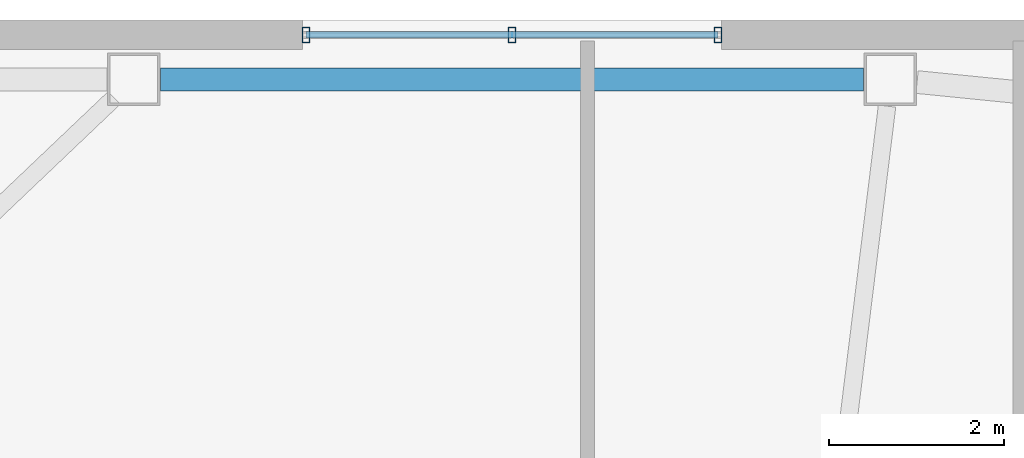
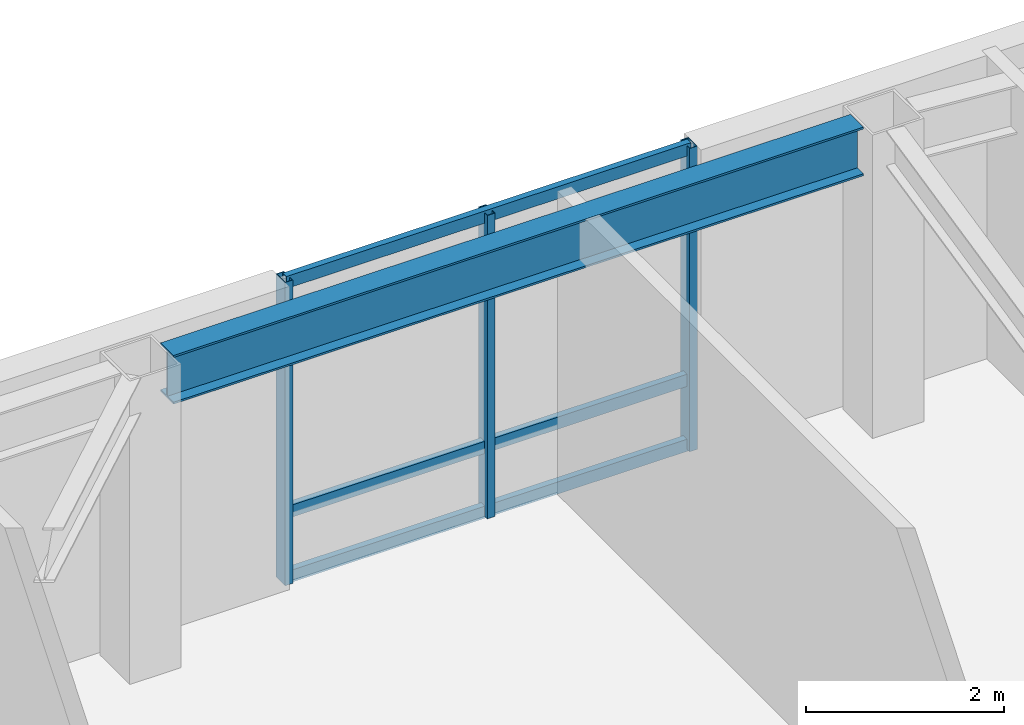
# One storey, part 6 of 18: 6 members, 1 beam, 1 element without a shape of its own.
"""IFC4 building model written with IfcOpenShell, lengths in metres."""

from ifc_helpers import new_model, si_unit, direction, frame, origin, origin_2d, place, context, subcontext, project, spatial, hollow_rectangle, i_section, extrude, material, layer, layer_set, material_profile, profile_set, type_object, element, aggregate, save


model = new_model("IFC4")

# Units and contexts
model_context = context("Model", 3, precision=1e-05, world=origin(), true_north=direction((0.0, 1.0)))
body_context = subcontext(model_context, "Body", "Model", "MODEL_VIEW")
ifc_project = project(units=[si_unit("LENGTHUNIT", "METRE"), si_unit("AREAUNIT", "SQUARE_METRE"), si_unit("VOLUMEUNIT", "CUBIC_METRE"), si_unit("PLANEANGLEUNIT", "RADIAN"), si_unit("MASSUNIT", "GRAM", prefix="KILO")], contexts=[model_context])

# Site, building, storey
site_placement = place(None, origin())
site = spatial("IfcSite", under=ifc_project, at=site_placement, CompositionType="ELEMENT")
building_placement = place(site_placement, origin())
building = spatial("IfcBuilding", under=site, at=building_placement, Name="Tavrogorsk Clinical Tower", CompositionType="ELEMENT")
storey_placement = place(building_placement, frame((0.0, 0.0, 200.199951171875)))
storey = spatial("IfcBuildingStorey", under=building, at=storey_placement, Name="L46", CompositionType="ELEMENT", Elevation=200.199951171875)

# Curtain wall, members
ifc_material_1 = material(Name="Anodised aluminium and triple IGU glazing", Category="aluminium")
ifc_layer = layer(ifc_material_1, 0.179931640625)
ifc_layer_set = layer_set([ifc_layer], Name="Anodised aluminium and triple IGU glazing")
curtain_wall_type = type_object("IfcCurtainWallType", Name="CW2_NorthSlot", PredefinedType="NOTDEFINED", material=ifc_layer_set)
curtain_wall_placement = place(storey_placement, origin())
curtain_wall = element("IfcCurtainWall", 1, at=curtain_wall_placement, inside=storey, type_object=curtain_wall_type, Name="L46 Curtain Wall CW-L46-N-SLOT-1", PredefinedType="NOTDEFINED")
ifc_material_2 = material(Name="Anodised aluminium alloy AW-6060", Category="aluminium")
ifc_material_profile_1 = material_profile(ifc_material_2, hollow_rectangle(XDim=0.090087890625, YDim=0.179931640625, WallThickness=0.00634765625, at=origin_2d()), Name="RHS-180x90x6.3")
ifc_profile_set_1 = profile_set([ifc_material_profile_1], Name="Anodised aluminium alloy AW-6060")
member_type_1 = type_object("IfcMemberType", Name="CwMullion_180x90", PredefinedType="MULLION", material=ifc_profile_set_1)
member_1_placement = place(storey_placement, frame((-3.90380859375, 26.929931640625, 0.0), z_axis=(0.0, 0.0, 1.0), x_axis=(-1.0, 0.0, 0.0)))
member_1 = element("IfcMember", 2, at=member_1_placement, type_object=member_type_1, Name="CW-L46-N-SLOT-1 Mullion 1", PredefinedType="MULLION", context=body_context, shape_type="SweptSolid", body=[
    extrude(hollow_rectangle(XDim=0.090087890625, YDim=0.179931640625, WallThickness=0.00634765625, at=origin_2d()), origin(), (0.0, 0.0, 1.0), 3.739990234375),
])
member_2_placement = place(storey_placement, frame((-6.262939453125, 26.929931640625, 0.0), z_axis=(0.0, 0.0, 1.0), x_axis=(-1.0, 0.0, 0.0)))
member_2 = element("IfcMember", 3, at=member_2_placement, type_object=member_type_1, Name="CW-L46-N-SLOT-1 Mullion 2", PredefinedType="MULLION", context=body_context, shape_type="SweptSolid", body=[
    extrude(hollow_rectangle(XDim=0.090087890625, YDim=0.179931640625, WallThickness=0.00634765625, at=origin_2d()), origin(), (0.0, 0.0, 1.0), 3.739990234375),
])
member_3_placement = place(storey_placement, frame((-8.621826171875, 26.929931640625, 0.0), z_axis=(0.0, 0.0, 1.0), x_axis=(-1.0, 0.0, 0.0)))
member_3 = element("IfcMember", 4, at=member_3_placement, type_object=member_type_1, Name="CW-L46-N-SLOT-1 Mullion 3", PredefinedType="MULLION", context=body_context, shape_type="SweptSolid", body=[
    extrude(hollow_rectangle(XDim=0.090087890625, YDim=0.179931640625, WallThickness=0.00634765625, at=origin_2d()), origin(), (0.0, 0.0, 1.0), 3.739990234375),
])
ifc_material_3 = material(Name="Anodised aluminium alloy AW-6060", Category="aluminium")
ifc_material_profile_2 = material_profile(ifc_material_3, hollow_rectangle(XDim=0.074951171875, YDim=0.14990234375, WallThickness=0.0048828125, at=origin_2d()), Name="RHS-150x75x5")
ifc_profile_set_2 = profile_set([ifc_material_profile_2], Name="Anodised aluminium alloy AW-6060")
member_type_2 = type_object("IfcMemberType", Name="CwTransom_150x75", PredefinedType="USERDEFINED", material=ifc_profile_set_2)
member_4_placement = place(storey_placement, frame((-3.90380859375, 26.929931640625, 0.050048828125), z_axis=(-1.0, 0.0, 0.0), x_axis=(0.0, -1.0, 0.0)))
member_4 = element("IfcMember", 5, at=member_4_placement, type_object=member_type_2, Name="CW-L46-N-SLOT-1 Transom 1", ObjectType="TRANSOM", PredefinedType="USERDEFINED", context=body_context, shape_type="SweptSolid", body=[
    extrude(hollow_rectangle(XDim=0.074951171875, YDim=0.14990234375, WallThickness=0.0048828125, at=origin_2d()), origin(), (0.0, 0.0, 1.0), 4.718017578125),
])
member_5_placement = place(storey_placement, frame((-3.90380859375, 26.929931640625, 0.85009765625), z_axis=(-1.0, 0.0, 0.0), x_axis=(0.0, -1.0, 0.0)))
member_5 = element("IfcMember", 6, at=member_5_placement, type_object=member_type_2, Name="CW-L46-N-SLOT-1 Transom 2", ObjectType="TRANSOM", PredefinedType="USERDEFINED", context=body_context, shape_type="SweptSolid", body=[
    extrude(hollow_rectangle(XDim=0.074951171875, YDim=0.14990234375, WallThickness=0.0048828125, at=origin_2d()), origin(), (0.0, 0.0, 1.0), 4.718017578125),
])
member_6_placement = place(storey_placement, frame((-3.90380859375, 26.929931640625, 3.68994140625), z_axis=(-1.0, 0.0, 0.0), x_axis=(0.0, -1.0, 0.0)))
member_6 = element("IfcMember", 7, at=member_6_placement, type_object=member_type_2, Name="CW-L46-N-SLOT-1 Transom 3", ObjectType="TRANSOM", PredefinedType="USERDEFINED", context=body_context, shape_type="SweptSolid", body=[
    extrude(hollow_rectangle(XDim=0.074951171875, YDim=0.14990234375, WallThickness=0.0048828125, at=origin_2d()), origin(), (0.0, 0.0, 1.0), 4.718017578125),
])
aggregate(curtain_wall, [member_1, member_2, member_3, member_4, member_5, member_6])

# Beam
ifc_material_4 = material(Name="Structural steel S390", Category="steel")
ifc_material_profile_3 = material_profile(ifc_material_4, i_section(OverallWidth=0.260009765625, OverallDepth=0.60009765625, WebThickness=0.014892578125, FlangeThickness=0.02392578125, at=origin_2d()), Name="B-600x260x15x24")
ifc_profile_set_3 = profile_set([ifc_material_profile_3], Name="Structural steel S390")
beam_type = type_object("IfcBeamType", Name="SpandrelBeam_B600", PredefinedType="SPANDREL", material=ifc_profile_set_3)
beam_placement = place(storey_placement, frame((-2.239501953125, 26.419921875, 3.43994140625), z_axis=(-1.0, 0.0, 0.0), x_axis=(0.0, -1.0, 0.0)))
element("IfcBeam", 8, at=beam_placement, inside=storey, type_object=beam_type, Name="L46 Perimeter Spandrel N5-N6", PredefinedType="SPANDREL", context=body_context, shape_type="SweptSolid", body=[
    extrude(i_section(OverallWidth=0.260009765625, OverallDepth=0.60009765625, WebThickness=0.014892578125, FlangeThickness=0.02392578125, at=origin_2d()), origin(), (0.0, 0.0, 1.0), 8.046875),
])

save(model, "model.ifc")
